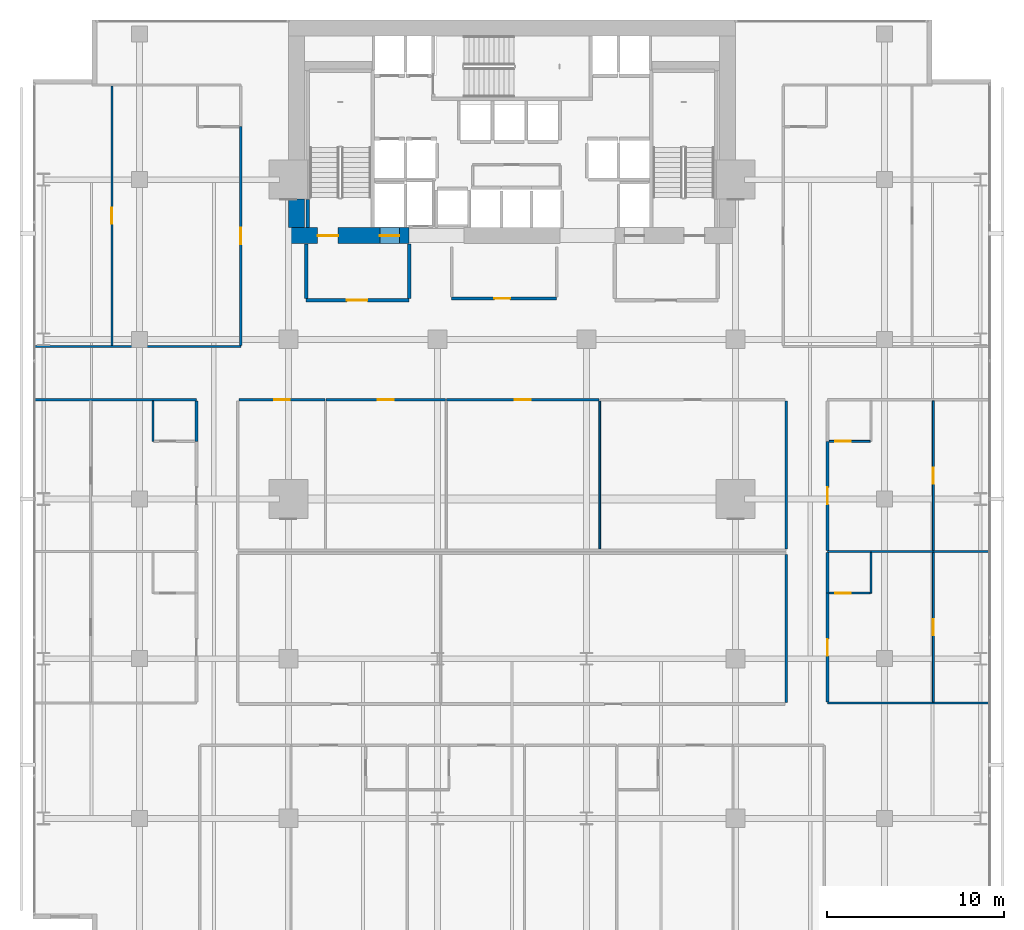
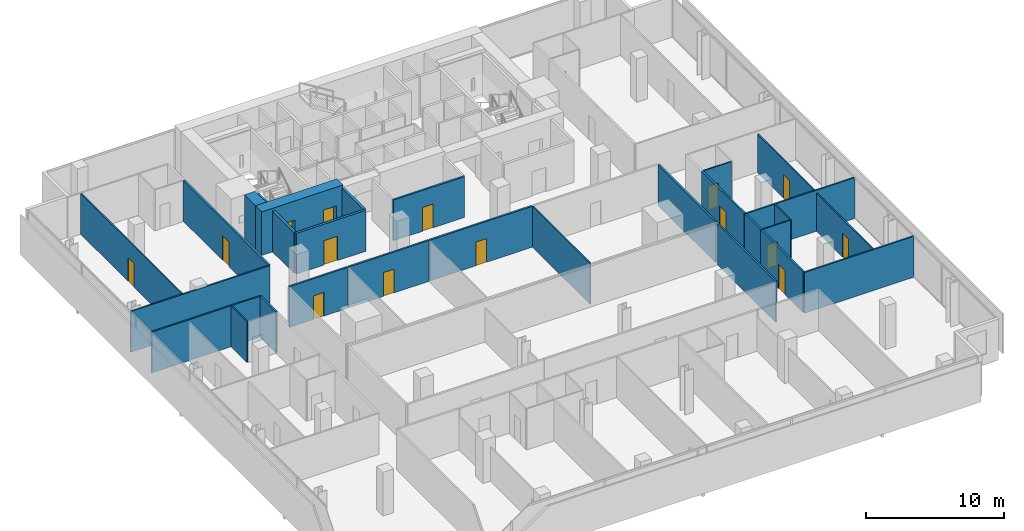
# One storey, part 34 of 39: 29 walls, 15 doors, 15 openings.
"""IFC4 building model written with IfcOpenShell, lengths in metres."""

from ifc_helpers import new_model, si_unit, direction, frame, frame_2d, origin, place, context, subcontext, project, spatial, rectangle, extrude, material, layer, layer_set, type_object, element, fill, save


model = new_model("IFC4")

# Units and contexts
model_context = context("Model", 3, precision=1e-05, world=origin(), true_north=direction((0.0, 1.0)))
body_context = subcontext(model_context, "Body", "Model", "MODEL_VIEW")
ifc_project = project(units=[si_unit("LENGTHUNIT", "METRE"), si_unit("AREAUNIT", "SQUARE_METRE"), si_unit("VOLUMEUNIT", "CUBIC_METRE"), si_unit("PLANEANGLEUNIT", "RADIAN"), si_unit("MASSUNIT", "GRAM", prefix="KILO")], contexts=[model_context])

# Site, building, storey
site_placement = place(None, origin())
site = spatial("IfcSite", under=ifc_project, at=site_placement, CompositionType="ELEMENT")
building_placement = place(site_placement, origin())
building = spatial("IfcBuilding", under=site, at=building_placement, Name="Maruvema Waterfront Hotel and Observation Tower", CompositionType="ELEMENT")
storey_placement = place(building_placement, frame((0.0, 0.0, 65.449951171875)))
storey = spatial("IfcBuildingStorey", under=building, at=storey_placement, Name="L15", CompositionType="ELEMENT", Elevation=65.449951171875)

# Wall, opening, door
ifc_material_1 = material(Name="Twin-stud acoustic gypsum drywall", Category="gypsum")
ifc_layer_1 = layer(ifc_material_1, 0.14990234375, Name="Acoustic Corridor and Suite Demising Wall 150 mm")
ifc_layer_set_1 = layer_set([ifc_layer_1], Name="Twin-stud acoustic gypsum drywall")
wall_type_1 = type_object("IfcWallType", Name="Acoustic Corridor and Suite Demising Wall 150 mm", PredefinedType="PARTITIONING", material=ifc_layer_set_1)
wall_1_placement = place(storey_placement, frame((34.39990234375, 38.300048828125, 0.0), z_axis=(0.0, 0.0, 1.0), x_axis=(1.0, 0.0, 0.0)))
wall_1 = element("IfcWall", 1, at=wall_1_placement, inside=storey, type_object=wall_type_1, Name="L15 Core Apron K0 South 013", PredefinedType="PARTITIONING", context=body_context, shape_type="SweptSolid", body=[
    extrude(rectangle(XDim=5.920166015625, YDim=0.14990234375, at=frame_2d((2.9599609375, 0.0))), origin(), (0.0, 0.0, 1.0), 3.610107421875),
])
opening_1_placement = place(wall_1_placement, frame((2.39990234375, 0.0, 0.0)))
opening_1 = element("IfcOpeningElement", 2, at=opening_1_placement, cuts=wall_1, Name="Opening DR-090", PredefinedType="OPENING", context=body_context, shape_type="SweptSolid", body=[
    extrude(rectangle(XDim=0.89990234375, YDim=2.10009765625, at=frame_2d((0.449951171875, 1.050048828125))), frame((0.0, 0.0849609375, 0.0), z_axis=(0.0, -1.0, 0.0), x_axis=(1.0, 0.0, 0.0)), (0.0, 0.0, 1.0), 0.169921875),
])
ifc_material_2 = material(Name="Solid-core lacquered timber leaf", Category="wood")
door_type_1 = type_object("IfcDoorType", Name="Accessible Toilet and Room Door 900x2100 mm", OperationType="NOTDEFINED", PredefinedType="DOOR", material=ifc_material_2)
door_1_placement = place(opening_1_placement, frame((0.89990234375, 0.0, 0.0), z_axis=(0.0, 0.0, 1.0), x_axis=(-1.0, 0.0, 0.0)))
door_1 = element("IfcDoor", 3, at=door_1_placement, inside=storey, type_object=door_type_1, Name="L15 Core Valet Room Door", OperationType="SINGLE_SWING_LEFT", OverallHeight=2.10009765625, OverallWidth=0.89990234375, PredefinedType="DOOR", context=body_context, shape_type="SweptSolid", body=[
    extrude(rectangle(XDim=0.89990234375, YDim=2.10009765625, at=frame_2d((0.449951171875, 1.050048828125))), frame((0.0, 0.02490234375, 0.0), z_axis=(0.0, -1.0, 0.0), x_axis=(1.0, 0.0, 0.0)), (0.0, 0.0, 1.0), 0.050048828125),
])
fill(opening_1, door_1)

# Wall
wall_2_placement = place(storey_placement, frame((53.25, 24.18994140625, 0.0), z_axis=(0.0, 0.0, 1.0), x_axis=(0.0, 1.0, 0.0)))
element("IfcWall", 4, at=wall_2_placement, inside=storey, type_object=wall_type_1, Name="L15 L15-INTN East Wall 018", PredefinedType="PARTITIONING", context=body_context, shape_type="SweptSolid", body=[
    extrude(rectangle(XDim=8.330078125, YDim=0.14990234375, at=frame_2d((4.1650390625, 0.0))), origin(), (0.0, 0.0, 1.0), 3.610107421875),
])

# Wall, opening, door
wall_3_placement = place(storey_placement, frame((22.409912109375, 32.60009765625, 0.0), z_axis=(0.0, 0.0, 1.0), x_axis=(1.0, 0.0, 0.0)))
wall_3 = element("IfcWall", 5, at=wall_3_placement, inside=storey, type_object=wall_type_1, Name="L15 L15-INTN Front 1 019", PredefinedType="PARTITIONING", context=body_context, shape_type="SweptSolid", body=[
    extrude(rectangle(XDim=4.85400390625, YDim=0.14990234375, at=frame_2d((2.427001953125, 0.0))), origin(), (0.0, 0.0, 1.0), 3.610107421875),
])
opening_2_placement = place(wall_3_placement, frame((1.97705078125, 0.0, 0.0)))
opening_2 = element("IfcOpeningElement", 6, at=opening_2_placement, cuts=wall_3, Name="Opening DR-090", PredefinedType="OPENING", context=body_context, shape_type="SweptSolid", body=[
    extrude(rectangle(XDim=0.89990234375, YDim=2.10009765625, at=frame_2d((0.449951171875, 1.050048828125))), frame((0.0, 0.0849609375, 0.0), z_axis=(0.0, -1.0, 0.0), x_axis=(1.0, 0.0, 0.0)), (0.0, 0.0, 1.0), 0.169921875),
])
door_2_placement = place(opening_2_placement, origin())
door_2 = element("IfcDoor", 7, at=door_2_placement, inside=storey, type_object=door_type_1, Name="L15 Diplomatic Dining Kitchen Door", OperationType="SINGLE_SWING_RIGHT", OverallHeight=2.10009765625, OverallWidth=0.89990234375, PredefinedType="DOOR", context=body_context, shape_type="SweptSolid", body=[
    extrude(rectangle(XDim=0.89990234375, YDim=2.10009765625, at=frame_2d((0.449951171875, 1.050048828125))), frame((0.0, 0.02490234375, 0.0), z_axis=(0.0, -1.0, 0.0), x_axis=(1.0, 0.0, 0.0)), (0.0, 0.0, 1.0), 0.050048828125),
])
fill(opening_2, door_2)

wall_4_placement = place(storey_placement, frame((27.323974609375, 32.60009765625, 0.0), z_axis=(0.0, 0.0, 1.0), x_axis=(1.0, 0.0, 0.0)))
wall_4 = element("IfcWall", 8, at=wall_4_placement, inside=storey, type_object=wall_type_1, Name="L15 L15-INTN Front 2 021", PredefinedType="PARTITIONING", context=body_context, shape_type="SweptSolid", body=[
    extrude(rectangle(XDim=6.738037109375, YDim=0.14990234375, at=frame_2d((3.369140625, 0.0))), origin(), (0.0, 0.0, 1.0), 3.610107421875),
])
opening_3_placement = place(wall_4_placement, frame((2.9189453125, 0.0, 0.0)))
opening_3 = element("IfcOpeningElement", 9, at=opening_3_placement, cuts=wall_4, Name="Opening DR-090", PredefinedType="OPENING", context=body_context, shape_type="SweptSolid", body=[
    extrude(rectangle(XDim=0.89990234375, YDim=2.10009765625, at=frame_2d((0.449951171875, 1.050048828125))), frame((0.0, 0.0849609375, 0.0), z_axis=(0.0, -1.0, 0.0), x_axis=(1.0, 0.0, 0.0)), (0.0, 0.0, 1.0), 0.169921875),
])
door_3_placement = place(opening_3_placement, origin())
door_3 = element("IfcDoor", 10, at=door_3_placement, inside=storey, type_object=door_type_1, Name="L15 Private Study Office 1 Door", OperationType="SINGLE_SWING_LEFT", OverallHeight=2.10009765625, OverallWidth=0.89990234375, PredefinedType="DOOR", context=body_context, shape_type="SweptSolid", body=[
    extrude(rectangle(XDim=0.89990234375, YDim=2.10009765625, at=frame_2d((0.449951171875, 1.050048828125))), frame((0.0, 0.02490234375, 0.0), z_axis=(0.0, -1.0, 0.0), x_axis=(1.0, 0.0, 0.0)), (0.0, 0.0, 1.0), 0.050048828125),
])
fill(opening_3, door_3)

wall_5_placement = place(storey_placement, frame((34.1220703125, 32.60009765625, 0.0), z_axis=(0.0, 0.0, 1.0), x_axis=(1.0, 0.0, 0.0)))
wall_5 = element("IfcWall", 11, at=wall_5_placement, inside=storey, type_object=wall_type_1, Name="L15 L15-INTN Front 3 023", PredefinedType="PARTITIONING", context=body_context, shape_type="SweptSolid", body=[
    extrude(rectangle(XDim=8.592041015625, YDim=0.14990234375, at=frame_2d((4.2958984375, 0.0))), origin(), (0.0, 0.0, 1.0), 3.610107421875),
])
opening_4_placement = place(wall_5_placement, frame((3.845947265625, 0.0, 0.0)))
opening_4 = element("IfcOpeningElement", 12, at=opening_4_placement, cuts=wall_5, Name="Opening DR-090", PredefinedType="OPENING", context=body_context, shape_type="SweptSolid", body=[
    extrude(rectangle(XDim=0.89990234375, YDim=2.10009765625, at=frame_2d((0.449951171875, 1.050048828125))), frame((0.0, 0.0849609375, 0.0), z_axis=(0.0, -1.0, 0.0), x_axis=(1.0, 0.0, 0.0)), (0.0, 0.0, 1.0), 0.169921875),
])
door_4_placement = place(opening_4_placement, origin())
door_4 = element("IfcDoor", 13, at=door_4_placement, inside=storey, type_object=door_type_1, Name="L15 Private Study Office 2 Door", OperationType="SINGLE_SWING_RIGHT", OverallHeight=2.10009765625, OverallWidth=0.89990234375, PredefinedType="DOOR", context=body_context, shape_type="SweptSolid", body=[
    extrude(rectangle(XDim=0.89990234375, YDim=2.10009765625, at=frame_2d((0.449951171875, 1.050048828125))), frame((0.0, 0.02490234375, 0.0), z_axis=(0.0, -1.0, 0.0), x_axis=(1.0, 0.0, 0.0)), (0.0, 0.0, 1.0), 0.050048828125),
])
fill(opening_4, door_4)

# Wall
wall_6_placement = place(storey_placement, frame((53.25, 15.530029296875, 0.0), z_axis=(0.0, 0.0, 1.0), x_axis=(0.0, 1.0, 0.0)))
element("IfcWall", 14, at=wall_6_placement, inside=storey, type_object=wall_type_1, Name="L15 L15-INTS East Wall 028", PredefinedType="PARTITIONING", context=body_context, shape_type="SweptSolid", body=[
    extrude(rectangle(XDim=8.340087890625, YDim=0.14990234375, at=frame_2d((4.169921875, 0.0))), origin(), (0.0, 0.0, 1.0), 3.610107421875),
])

# Wall, opening, door
wall_7_placement = place(storey_placement, frame((55.580078125, 15.56005859375, 0.0), z_axis=(0.0, 0.0, 1.0), x_axis=(0.0, 1.0, 0.0)))
wall_7 = element("IfcWall", 15, at=wall_7_placement, inside=storey, type_object=wall_type_1, Name="L15 Room L15-E1 Corridor Wall 063", PredefinedType="PARTITIONING", context=body_context, shape_type="SweptSolid", body=[
    extrude(rectangle(XDim=6.139892578125, YDim=0.14990234375, at=frame_2d((3.06982421875, 0.0))), origin(), (0.0, 0.0, 1.0), 3.610107421875),
])
opening_5_placement = place(wall_7_placement, frame((2.594970703125, 0.0, 0.0)))
opening_5 = element("IfcOpeningElement", 16, at=opening_5_placement, cuts=wall_7, Name="Opening DR-095", PredefinedType="OPENING", context=body_context, shape_type="SweptSolid", body=[
    extrude(rectangle(XDim=0.949951171875, YDim=2.14990234375, at=frame_2d((0.47509765625, 1.074951171875))), frame((0.0, 0.0849609375, 0.0), z_axis=(0.0, -1.0, 0.0), x_axis=(1.0, 0.0, 0.0)), (0.0, 0.0, 1.0), 0.169921875),
])
ifc_material_3 = material(Name="Acoustic solid-core hardwood timber leaf", Category="wood")
door_type_2 = type_object("IfcDoorType", Name="Guestroom Entrance Fire Door 950x2150 mm", OperationType="NOTDEFINED", PredefinedType="DOOR", material=ifc_material_3)
door_5_placement = place(opening_5_placement, frame((0.949951171875, 0.0, 0.0), z_axis=(0.0, 0.0, 1.0), x_axis=(-1.0, 0.0, 0.0)))
door_5 = element("IfcDoor", 17, at=door_5_placement, inside=storey, type_object=door_type_2, Name="L15 Room L15-E1 Entrance Door", OperationType="SINGLE_SWING_LEFT", OverallHeight=2.14990234375, OverallWidth=0.949951171875, PredefinedType="DOOR", context=body_context, shape_type="SweptSolid", body=[
    extrude(rectangle(XDim=0.949951171875, YDim=2.14990234375, at=frame_2d((0.47509765625, 1.074951171875))), frame((0.0, 0.02490234375, 0.0), z_axis=(0.0, -1.0, 0.0), x_axis=(1.0, 0.0, 0.0)), (0.0, 0.0, 1.0), 0.050048828125),
])
fill(opening_5, door_5)

# Walls
for number, where, z_axis, x_axis, name in (
    (18, (55.580078125, 21.699951171875, 0.0), (0.0, 0.0, 1.0), (0.0, 1.0, 0.0), "L15 Bath L15-E1 Wall 064"),
    (19, (20.02001953125, 30.25, 0.0), (0.0, 0.0, 1.0), (0.0, 1.0, 0.0), "L15 Bath L15-W2 Wall 071"),
):
    element("IfcWall", number, at=place(storey_placement, frame(where, z_axis=z_axis, x_axis=x_axis)), inside=storey, type_object=wall_type_1, Name=name, PredefinedType="PARTITIONING", context=body_context, shape_type="SweptSolid", body=[
        extrude(rectangle(XDim=2.2900390625, YDim=0.14990234375, at=frame_2d((1.14501953125, 0.0))), origin(), (0.0, 0.0, 1.0), 3.610107421875),
    ])

# Wall, opening, door
wall_8_placement = place(storey_placement, frame((55.580078125, 24.110107421875, 0.0), z_axis=(0.0, 0.0, 1.0), x_axis=(0.0, 1.0, 0.0)))
wall_8 = element("IfcWall", 20, at=wall_8_placement, inside=storey, type_object=wall_type_1, Name="L15 Room L15-E2 Corridor Wall 075", PredefinedType="PARTITIONING", context=body_context, shape_type="SweptSolid", body=[
    extrude(rectangle(XDim=6.139892578125, YDim=0.14990234375, at=frame_2d((3.06982421875, 0.0))), origin(), (0.0, 0.0, 1.0), 3.610107421875),
])
opening_6_placement = place(wall_8_placement, frame((2.594970703125, 0.0, 0.0)))
opening_6 = element("IfcOpeningElement", 21, at=opening_6_placement, cuts=wall_8, Name="Opening DR-095", PredefinedType="OPENING", context=body_context, shape_type="SweptSolid", body=[
    extrude(rectangle(XDim=0.949951171875, YDim=2.14990234375, at=frame_2d((0.47509765625, 1.074951171875))), frame((0.0, 0.0849609375, 0.0), z_axis=(0.0, -1.0, 0.0), x_axis=(1.0, 0.0, 0.0)), (0.0, 0.0, 1.0), 0.169921875),
])
door_6_placement = place(opening_6_placement, frame((0.949951171875, 0.0, 0.0), z_axis=(0.0, 0.0, 1.0), x_axis=(-1.0, 0.0, 0.0)))
door_6 = element("IfcDoor", 22, at=door_6_placement, inside=storey, type_object=door_type_2, Name="L15 Room L15-E2 Entrance Door", OperationType="SINGLE_SWING_LEFT", OverallHeight=2.14990234375, OverallWidth=0.949951171875, PredefinedType="DOOR", context=body_context, shape_type="SweptSolid", body=[
    extrude(rectangle(XDim=0.949951171875, YDim=2.14990234375, at=frame_2d((0.47509765625, 1.074951171875))), frame((0.0, 0.02490234375, 0.0), z_axis=(0.0, -1.0, 0.0), x_axis=(1.0, 0.0, 0.0)), (0.0, 0.0, 1.0), 0.050048828125),
])
fill(opening_6, door_6)

wall_9_placement = place(storey_placement, frame((22.52001953125, 35.659912109375, 0.0), z_axis=(0.0, 0.0, 1.0), x_axis=(0.0, 1.0, 0.0)))
wall_9 = element("IfcWall", 23, at=wall_9_placement, inside=storey, type_object=wall_type_1, Name="L15 Room L15-NW1 Corridor Wall 084", PredefinedType="PARTITIONING", context=body_context, shape_type="SweptSolid", body=[
    extrude(rectangle(XDim=12.32763671875, YDim=0.14990234375, at=frame_2d((6.163818359375, 0.0))), origin(), (0.0, 0.0, 1.0), 3.610107421875),
])
opening_7_placement = place(wall_9_placement, frame((5.688720703125, 0.0, 0.0)))
opening_7 = element("IfcOpeningElement", 24, at=opening_7_placement, cuts=wall_9, Name="Opening DR-095", PredefinedType="OPENING", context=body_context, shape_type="SweptSolid", body=[
    extrude(rectangle(XDim=0.949951171875, YDim=2.14990234375, at=frame_2d((0.47509765625, 1.074951171875))), frame((0.0, 0.0849609375, 0.0), z_axis=(0.0, -1.0, 0.0), x_axis=(1.0, 0.0, 0.0)), (0.0, 0.0, 1.0), 0.169921875),
])
door_7_placement = place(opening_7_placement, origin())
door_7 = element("IfcDoor", 25, at=door_7_placement, inside=storey, type_object=door_type_2, Name="L15 Room L15-NW1 Entrance Door", OperationType="SINGLE_SWING_RIGHT", OverallHeight=2.14990234375, OverallWidth=0.949951171875, PredefinedType="DOOR", context=body_context, shape_type="SweptSolid", body=[
    extrude(rectangle(XDim=0.949951171875, YDim=2.14990234375, at=frame_2d((0.47509765625, 1.074951171875))), frame((0.0, 0.02490234375, 0.0), z_axis=(0.0, -1.0, 0.0), x_axis=(1.0, 0.0, 0.0)), (0.0, 0.0, 1.0), 0.050048828125),
])
fill(opening_7, door_7)

# Wall
ifc_material_4 = material(Name="Precast concrete C45/55", Category="concrete")
ifc_layer_2 = layer(ifc_material_4, 0.199951171875, Name="Core Shaft and Stairwell Enclosure Wall 200 mm")
ifc_layer_set_2 = layer_set([ifc_layer_2], Name="Precast concrete C45/55")
wall_type_2 = type_object("IfcWallType", Name="Core Shaft and Stairwell Enclosure Wall 200 mm", PredefinedType="SOLIDWALL", material=ifc_layer_set_2)
wall_10_placement = place(storey_placement, frame((26.300048828125, 42.300048828125, 0.0), z_axis=(0.0, 0.0, 1.0), x_axis=(0.0, 1.0, 0.0)))
element("IfcWall", 26, at=wall_10_placement, inside=storey, type_object=wall_type_2, Name="L15 Stairwell ST-01 Shaft Lining Wall", PredefinedType="SOLIDWALL", context=body_context, shape_type="SweptSolid", body=[
    extrude(rectangle(XDim=1.579833984375, YDim=0.199951171875, at=frame_2d((0.7900390625, 0.0))), origin(), (0.0, 0.0, 1.0), 3.610107421875),
])

# Wall, openings, doors
ifc_material_5 = material(Name="Concrete C80/95", Category="concrete")
ifc_layer_3 = layer(ifc_material_5, 0.89990234375, Name="Core Shear Wall 900 mm")
ifc_layer_set_3 = layer_set([ifc_layer_3], Name="Concrete C80/95")
wall_type_3 = type_object("IfcWallType", Name="Core Shear Wall 900 mm", PredefinedType="SHEAR", material=ifc_layer_set_3)
wall_11_placement = place(storey_placement, frame((25.199951171875, 41.85009765625, 0.0), z_axis=(0.0, 0.0, 1.0), x_axis=(1.0, 0.0, 0.0)))
wall_11 = element("IfcWall", 27, at=wall_11_placement, inside=storey, type_object=wall_type_3, Name="L15 South-West Core Shear Wall", PredefinedType="SHEAR", context=body_context, shape_type="SweptSolid", body=[
    extrude(rectangle(XDim=6.800048828125, YDim=0.89990234375, at=frame_2d((3.39990234375, 0.0))), origin(), (0.0, 0.0, 1.0), 3.85009765625),
])
opening_8_placement = place(wall_11_placement, frame((1.64990234375, 0.0, 0.0)))
opening_8 = element("IfcOpeningElement", 28, at=opening_8_placement, cuts=wall_11, Name="Opening SD-01", PredefinedType="OPENING", context=body_context, shape_type="SweptSolid", body=[
    extrude(rectangle(XDim=1.14990234375, YDim=2.14990234375, at=frame_2d((0.574951171875, 1.074951171875))), frame((0.0, 0.4599609375, 0.0), z_axis=(0.0, -1.0, 0.0), x_axis=(1.0, 0.0, 0.0)), (0.0, 0.0, 1.0), 0.919921875),
])
opening_9_placement = place(wall_11_placement, frame((5.14990234375, 0.0, 0.0)))
opening_9 = element("IfcOpeningElement", 29, at=opening_9_placement, cuts=wall_11, Name="Opening LD-03", PredefinedType="OPENING", context=body_context, shape_type="SweptSolid", body=[
    extrude(rectangle(XDim=1.10009765625, YDim=2.199951171875, at=frame_2d((0.550048828125, 1.10009765625))), frame((0.0, 0.4599609375, 0.0), z_axis=(0.0, -1.0, 0.0), x_axis=(1.0, 0.0, 0.0)), (0.0, 0.0, 1.0), 0.919921875),
])
ifc_material_6 = material(Name="Fire-rated galvanised steel leaf", Category="steel")
door_type_3 = type_object("IfcDoorType", Name="Exit Stair Fire Door 1150x2150 mm", OperationType="NOTDEFINED", PredefinedType="DOOR", material=ifc_material_6)
door_8_placement = place(opening_8_placement, origin())
door_8 = element("IfcDoor", 30, at=door_8_placement, inside=storey, type_object=door_type_3, Name="L15 Exit Stair ST-01 Fire Door", OperationType="SINGLE_SWING_LEFT", OverallHeight=2.14990234375, OverallWidth=1.14990234375, PredefinedType="DOOR", context=body_context, shape_type="SweptSolid", body=[
    extrude(rectangle(XDim=1.14990234375, YDim=2.14990234375, at=frame_2d((0.574951171875, 1.074951171875))), frame((0.0, 0.02490234375, 0.0), z_axis=(0.0, -1.0, 0.0), x_axis=(1.0, 0.0, 0.0)), (0.0, 0.0, 1.0), 0.050048828125),
])
fill(opening_8, door_8)
ifc_material_7 = material(Name="Brushed stainless steel Grade 316", Category="steel")
door_type_4 = type_object("IfcDoorType", Name="Firefighting Lift Sliding Landing Door 1100x2200 mm", OperationType="SLIDING_TO_LEFT", PredefinedType="DOOR", material=ifc_material_7)
door_9_placement = place(opening_9_placement, frame((1.10009765625, 0.0, 0.0), z_axis=(0.0, 0.0, 1.0), x_axis=(-1.0, 0.0, 0.0)))
door_9 = element("IfcDoor", 31, at=door_9_placement, inside=storey, type_object=door_type_4, Name="L15 Firefighting Lift FL-01 Landing Door", OperationType="SLIDING_TO_LEFT", OverallHeight=2.199951171875, OverallWidth=1.10009765625, PredefinedType="DOOR", context=body_context, shape_type="SweptSolid", body=[
    extrude(rectangle(XDim=1.10009765625, YDim=2.199951171875, at=frame_2d((0.550048828125, 1.10009765625))), frame((0.0, 0.02490234375, 0.0), z_axis=(0.0, -1.0, 0.0), x_axis=(1.0, 0.0, 0.0)), (0.0, 0.0, 1.0), 0.050048828125),
])
fill(opening_9, door_9)

# Walls
wall_12_placement = place(storey_placement, frame((25.64990234375, 42.300048828125, 0.0), z_axis=(0.0, 0.0, 1.0), x_axis=(0.0, 1.0, 0.0)))
element("IfcWall", 32, at=wall_12_placement, inside=storey, type_object=wall_type_3, Name="L15 West-South Core Shear Wall", PredefinedType="SHEAR", context=body_context, shape_type="SweptSolid", body=[
    extrude(rectangle(XDim=1.599853515625, YDim=0.89990234375, at=frame_2d((0.7998046875, 0.0))), origin(), (0.0, 0.0, 1.0), 3.85009765625),
])
ifc_material_8 = material(Name="Moisture-resistant cement-board drywall", Category="gypsum")
ifc_layer_4 = layer(ifc_material_8, 0.10009765625, Name="En-Suite Moisture-Resistant Partition 100 mm")
ifc_layer_set_4 = layer_set([ifc_layer_4], Name="Moisture-resistant cement-board drywall")
wall_type_4 = type_object("IfcWallType", Name="En-Suite Moisture-Resistant Partition 100 mm", PredefinedType="PARTITIONING", material=ifc_layer_set_4)
wall_13_placement = place(storey_placement, frame((42.743896484375, 24.18994140625, 0.0), z_axis=(0.0, 0.0, 1.0), x_axis=(0.0, 1.0, 0.0)))
element("IfcWall", 33, at=wall_13_placement, inside=storey, type_object=wall_type_4, Name="L15 L15-INTN Split 3 024", PredefinedType="PARTITIONING", context=body_context, shape_type="SweptSolid", body=[
    extrude(rectangle(XDim=8.330078125, YDim=0.10009765625, at=frame_2d((4.1650390625, 0.0))), origin(), (0.0, 0.0, 1.0), 3.610107421875),
])
wall_14_placement = place(storey_placement, frame((58.030029296875, 21.699951171875, 0.0), z_axis=(0.0, 0.0, 1.0), x_axis=(0.0, 1.0, 0.0)))
element("IfcWall", 34, at=wall_14_placement, inside=storey, type_object=wall_type_4, Name="L15 En-Suite L15-E1 E 065", PredefinedType="PARTITIONING", context=body_context, shape_type="SweptSolid", body=[
    extrude(rectangle(XDim=2.2900390625, YDim=0.10009765625, at=frame_2d((1.14501953125, 0.0))), origin(), (0.0, 0.0, 1.0), 3.610107421875),
])

# Wall, opening, door
wall_15_placement = place(storey_placement, frame((55.679931640625, 21.699951171875, 0.0), z_axis=(0.0, 0.0, 1.0), x_axis=(1.0, 0.0, 0.0)))
wall_15 = element("IfcWall", 35, at=wall_15_placement, inside=storey, type_object=wall_type_4, Name="L15 En-Suite L15-E1 S 066", PredefinedType="PARTITIONING", context=body_context, shape_type="SweptSolid", body=[
    extrude(rectangle(XDim=2.300048828125, YDim=0.10009765625, at=frame_2d((1.14990234375, 0.0))), origin(), (0.0, 0.0, 1.0), 3.610107421875),
])
opening_10_placement = place(wall_15_placement, frame((0.35009765625, 0.0, 0.0)))
opening_10 = element("IfcOpeningElement", 36, at=opening_10_placement, cuts=wall_15, Name="Opening DR-085", PredefinedType="OPENING", context=body_context, shape_type="SweptSolid", body=[
    extrude(rectangle(XDim=0.85009765625, YDim=2.10009765625, at=frame_2d((0.425048828125, 1.050048828125))), frame((0.0, 0.06005859375, 0.0), z_axis=(0.0, -1.0, 0.0), x_axis=(1.0, 0.0, 0.0)), (0.0, 0.0, 1.0), 0.1201171875),
])
ifc_material_9 = material(Name="Moisture-resistant solid timber leaf", Category="wood")
door_type_5 = type_object("IfcDoorType", Name="En-Suite Bathroom Door 850x2100 mm", OperationType="NOTDEFINED", PredefinedType="DOOR", material=ifc_material_9)
door_10_placement = place(opening_10_placement, frame((0.85009765625, 0.0, 0.0), z_axis=(0.0, 0.0, 1.0), x_axis=(-1.0, 0.0, 0.0)))
door_10 = element("IfcDoor", 37, at=door_10_placement, inside=storey, type_object=door_type_5, Name="L15 En-Suite L15-E1 Door", OperationType="SINGLE_SWING_RIGHT", OverallHeight=2.10009765625, OverallWidth=0.85009765625, PredefinedType="DOOR", context=body_context, shape_type="SweptSolid", body=[
    extrude(rectangle(XDim=0.85009765625, YDim=2.10009765625, at=frame_2d((0.425048828125, 1.050048828125))), frame((0.0, 0.02490234375, 0.0), z_axis=(0.0, -1.0, 0.0), x_axis=(1.0, 0.0, 0.0)), (0.0, 0.0, 1.0), 0.050048828125),
])
fill(opening_10, door_10)

wall_16_placement = place(storey_placement, frame((61.55029296875, 15.56005859375, 0.0), z_axis=(0.0, 0.0, 1.0), x_axis=(0.0, 1.0, 0.0)))
wall_16 = element("IfcWall", 38, at=wall_16_placement, inside=storey, type_object=wall_type_4, Name="L15 Suite L15-E1 Split 067", PredefinedType="PARTITIONING", context=body_context, shape_type="SweptSolid", body=[
    extrude(rectangle(XDim=8.429931640625, YDim=0.10009765625, at=frame_2d((4.21484375, 0.0))), origin(), (0.0, 0.0, 1.0), 3.35205078125),
])
opening_11_placement = place(wall_16_placement, frame((3.764892578125, 0.0, 0.0)))
opening_11 = element("IfcOpeningElement", 39, at=opening_11_placement, cuts=wall_16, Name="Opening DR-090", PredefinedType="OPENING", context=body_context, shape_type="SweptSolid", body=[
    extrude(rectangle(XDim=0.89990234375, YDim=2.10009765625, at=frame_2d((0.449951171875, 1.050048828125))), frame((0.0, 0.06005859375, 0.0), z_axis=(0.0, -1.0, 0.0), x_axis=(1.0, 0.0, 0.0)), (0.0, 0.0, 1.0), 0.1201171875),
])
door_11_placement = place(opening_11_placement, frame((0.89990234375, 0.0, 0.0), z_axis=(0.0, 0.0, 1.0), x_axis=(-1.0, 0.0, 0.0)))
door_11 = element("IfcDoor", 40, at=door_11_placement, inside=storey, type_object=door_type_1, Name="L15 Suite L15-E1 Bedroom Door", OperationType="SINGLE_SWING_RIGHT", OverallHeight=2.10009765625, OverallWidth=0.89990234375, PredefinedType="DOOR", context=body_context, shape_type="SweptSolid", body=[
    extrude(rectangle(XDim=0.89990234375, YDim=2.10009765625, at=frame_2d((0.449951171875, 1.050048828125))), frame((0.0, 0.02490234375, 0.0), z_axis=(0.0, -1.0, 0.0), x_axis=(1.0, 0.0, 0.0)), (0.0, 0.0, 1.0), 0.050048828125),
])
fill(opening_11, door_11)

# Wall
wall_17_placement = place(storey_placement, frame((17.570068359375, 30.25, 0.0), z_axis=(0.0, 0.0, 1.0), x_axis=(0.0, 1.0, 0.0)))
element("IfcWall", 41, at=wall_17_placement, inside=storey, type_object=wall_type_4, Name="L15 En-Suite L15-W2 W 072", PredefinedType="PARTITIONING", context=body_context, shape_type="SweptSolid", body=[
    extrude(rectangle(XDim=2.2900390625, YDim=0.10009765625, at=frame_2d((1.14501953125, 0.0))), origin(), (0.0, 0.0, 1.0), 3.610107421875),
])

# Wall, opening, door
wall_18_placement = place(storey_placement, frame((55.679931640625, 30.25, 0.0), z_axis=(0.0, 0.0, 1.0), x_axis=(1.0, 0.0, 0.0)))
wall_18 = element("IfcWall", 42, at=wall_18_placement, inside=storey, type_object=wall_type_4, Name="L15 En-Suite L15-E2 S 078", PredefinedType="PARTITIONING", context=body_context, shape_type="SweptSolid", body=[
    extrude(rectangle(XDim=2.300048828125, YDim=0.10009765625, at=frame_2d((1.14990234375, 0.0))), origin(), (0.0, 0.0, 1.0), 3.610107421875),
])
opening_12_placement = place(wall_18_placement, frame((0.35009765625, 0.0, 0.0)))
opening_12 = element("IfcOpeningElement", 43, at=opening_12_placement, cuts=wall_18, Name="Opening DR-085", PredefinedType="OPENING", context=body_context, shape_type="SweptSolid", body=[
    extrude(rectangle(XDim=0.85009765625, YDim=2.10009765625, at=frame_2d((0.425048828125, 1.050048828125))), frame((0.0, 0.06005859375, 0.0), z_axis=(0.0, -1.0, 0.0), x_axis=(1.0, 0.0, 0.0)), (0.0, 0.0, 1.0), 0.1201171875),
])
door_12_placement = place(opening_12_placement, frame((0.85009765625, 0.0, 0.0), z_axis=(0.0, 0.0, 1.0), x_axis=(-1.0, 0.0, 0.0)))
door_12 = element("IfcDoor", 44, at=door_12_placement, inside=storey, type_object=door_type_5, Name="L15 En-Suite L15-E2 Door", OperationType="SINGLE_SWING_RIGHT", OverallHeight=2.10009765625, OverallWidth=0.85009765625, PredefinedType="DOOR", context=body_context, shape_type="SweptSolid", body=[
    extrude(rectangle(XDim=0.85009765625, YDim=2.10009765625, at=frame_2d((0.425048828125, 1.050048828125))), frame((0.0, 0.02490234375, 0.0), z_axis=(0.0, -1.0, 0.0), x_axis=(1.0, 0.0, 0.0)), (0.0, 0.0, 1.0), 0.050048828125),
])
fill(opening_12, door_12)

wall_19_placement = place(storey_placement, frame((61.55029296875, 24.110107421875, 0.0), z_axis=(0.0, 0.0, 1.0), x_axis=(0.0, 1.0, 0.0)))
wall_19 = element("IfcWall", 45, at=wall_19_placement, inside=storey, type_object=wall_type_4, Name="L15 Suite L15-E2 Split 079", PredefinedType="PARTITIONING", context=body_context, shape_type="SweptSolid", body=[
    extrude(rectangle(XDim=8.429931640625, YDim=0.10009765625, at=frame_2d((4.21484375, 0.0))), origin(), (0.0, 0.0, 1.0), 3.403076171875),
])
opening_13_placement = place(wall_19_placement, frame((3.764892578125, 0.0, 0.0)))
opening_13 = element("IfcOpeningElement", 46, at=opening_13_placement, cuts=wall_19, Name="Opening DR-090", PredefinedType="OPENING", context=body_context, shape_type="SweptSolid", body=[
    extrude(rectangle(XDim=0.89990234375, YDim=2.10009765625, at=frame_2d((0.449951171875, 1.050048828125))), frame((0.0, 0.06005859375, 0.0), z_axis=(0.0, -1.0, 0.0), x_axis=(1.0, 0.0, 0.0)), (0.0, 0.0, 1.0), 0.1201171875),
])
door_13_placement = place(opening_13_placement, frame((0.89990234375, 0.0, 0.0), z_axis=(0.0, 0.0, 1.0), x_axis=(-1.0, 0.0, 0.0)))
door_13 = element("IfcDoor", 47, at=door_13_placement, inside=storey, type_object=door_type_1, Name="L15 Suite L15-E2 Bedroom Door", OperationType="SINGLE_SWING_RIGHT", OverallHeight=2.10009765625, OverallWidth=0.89990234375, PredefinedType="DOOR", context=body_context, shape_type="SweptSolid", body=[
    extrude(rectangle(XDim=0.89990234375, YDim=2.10009765625, at=frame_2d((0.449951171875, 1.050048828125))), frame((0.0, 0.02490234375, 0.0), z_axis=(0.0, -1.0, 0.0), x_axis=(1.0, 0.0, 0.0)), (0.0, 0.0, 1.0), 0.050048828125),
])
fill(opening_13, door_13)

wall_20_placement = place(storey_placement, frame((15.24951171875, 35.659912109375, 0.0), z_axis=(0.0, 0.0, 1.0), x_axis=(0.0, 1.0, 0.0)))
wall_20 = element("IfcWall", 48, at=wall_20_placement, inside=storey, type_object=wall_type_4, Name="L15 Suite L15-NW1 Split 088", PredefinedType="PARTITIONING", context=body_context, shape_type="SweptSolid", body=[
    extrude(rectangle(XDim=14.61767578125, YDim=0.10009765625, at=frame_2d((7.308837890625, 0.0))), origin(), (0.0, 0.0, 1.0), 3.610107421875),
])
opening_14_placement = place(wall_20_placement, frame((6.85888671875, 0.0, 0.0)))
opening_14 = element("IfcOpeningElement", 49, at=opening_14_placement, cuts=wall_20, Name="Opening DR-090", PredefinedType="OPENING", context=body_context, shape_type="SweptSolid", body=[
    extrude(rectangle(XDim=0.89990234375, YDim=2.10009765625, at=frame_2d((0.449951171875, 1.050048828125))), frame((0.0, 0.06005859375, 0.0), z_axis=(0.0, -1.0, 0.0), x_axis=(1.0, 0.0, 0.0)), (0.0, 0.0, 1.0), 0.1201171875),
])
door_14_placement = place(opening_14_placement, origin())
door_14 = element("IfcDoor", 50, at=door_14_placement, inside=storey, type_object=door_type_1, Name="L15 Suite L15-NW1 Bedroom Door", OperationType="SINGLE_SWING_LEFT", OverallHeight=2.10009765625, OverallWidth=0.89990234375, PredefinedType="DOOR", context=body_context, shape_type="SweptSolid", body=[
    extrude(rectangle(XDim=0.89990234375, YDim=2.10009765625, at=frame_2d((0.449951171875, 1.050048828125))), frame((0.0, 0.02490234375, 0.0), z_axis=(0.0, -1.0, 0.0), x_axis=(1.0, 0.0, 0.0)), (0.0, 0.0, 1.0), 0.050048828125),
])
fill(opening_14, door_14)

ifc_material_10 = material(Name="Autoclaved cellular concrete blockwork", Category="masonry")
ifc_layer_5 = layer(ifc_material_10, 0.199951171875, Name="Fire Compartment Masonry Wall 200 mm")
ifc_layer_set_5 = layer_set([ifc_layer_5], Name="Autoclaved cellular concrete blockwork")
wall_type_5 = type_object("IfcWallType", Name="Fire Compartment Masonry Wall 200 mm", PredefinedType="PARTITIONING", material=ifc_layer_set_5)
wall_21_placement = place(storey_placement, frame((26.199951171875, 38.199951171875, 0.0), z_axis=(0.0, 0.0, 1.0), x_axis=(1.0, 0.0, 0.0)))
wall_21 = element("IfcWall", 51, at=wall_21_placement, inside=storey, type_object=wall_type_5, Name="L15 FFL West South Wall 001", PredefinedType="PARTITIONING", context=body_context, shape_type="SweptSolid", body=[
    extrude(rectangle(XDim=5.800048828125, YDim=0.199951171875, at=frame_2d((2.89990234375, 0.0))), origin(), (0.0, 0.0, 1.0), 3.610107421875),
])
opening_15_placement = place(wall_21_placement, frame((2.300048828125, 0.0, 0.0)))
opening_15 = element("IfcOpeningElement", 52, at=opening_15_placement, cuts=wall_21, Name="Opening FD-115", PredefinedType="OPENING", context=body_context, shape_type="SweptSolid", body=[
    extrude(rectangle(XDim=1.14990234375, YDim=2.14990234375, at=frame_2d((0.574951171875, 1.074951171875))), frame((0.0, 0.10986328125, 0.0), z_axis=(0.0, -1.0, 0.0), x_axis=(1.0, 0.0, 0.0)), (0.0, 0.0, 1.0), 0.219970703125),
])
ifc_material_11 = material(Name="Fire-rated galvanised steel and vision glass", Category="steel")
door_type_6 = type_object("IfcDoorType", Name="Firefighting Lobby Fire Door 1150x2150 mm", OperationType="NOTDEFINED", PredefinedType="DOOR", material=ifc_material_11)
door_15_placement = place(opening_15_placement, frame((1.14990234375, 0.0, 0.0), z_axis=(0.0, 0.0, 1.0), x_axis=(-1.0, 0.0, 0.0)))
door_15 = element("IfcDoor", 53, at=door_15_placement, inside=storey, type_object=door_type_6, Name="L15 Firefighting Lobby West Door", OperationType="SINGLE_SWING_LEFT", OverallHeight=2.14990234375, OverallWidth=1.14990234375, PredefinedType="DOOR", context=body_context, shape_type="SweptSolid", body=[
    extrude(rectangle(XDim=1.14990234375, YDim=2.14990234375, at=frame_2d((0.574951171875, 1.074951171875))), frame((0.0, 0.02490234375, 0.0), z_axis=(0.0, -1.0, 0.0), x_axis=(1.0, 0.0, 0.0)), (0.0, 0.0, 1.0), 0.050048828125),
])
fill(opening_15, door_15)

# Walls
for number, where, z_axis, x_axis, name in (
    (54, (26.199951171875, 38.31005859375, 0.0), (0.0, 0.0, 1.0), (0.0, 1.0, 0.0), "L15 FFL West West Wall 002"),
    (55, (32.0, 38.31005859375, 0.0), (0.0, 0.0, 1.0), (0.0, 1.0, 0.0), "L15 FFL West East Wall 003"),
):
    element("IfcWall", number, at=place(storey_placement, frame(where, z_axis=z_axis, x_axis=x_axis)), inside=storey, type_object=wall_type_5, Name=name, PredefinedType="PARTITIONING", context=body_context, shape_type="SweptSolid", body=[
        extrude(rectangle(XDim=3.06982421875, YDim=0.199951171875, at=frame_2d((1.534912109375, 0.0))), origin(), (0.0, 0.0, 1.0), 3.610107421875),
    ])
ifc_material_12 = material(Name="Acoustic gypsum plasterboard drywall", Category="gypsum")
ifc_layer_6 = layer(ifc_material_12, 0.125, Name="Guestroom Acoustic Demising Wall 125 mm")
ifc_layer_set_6 = layer_set([ifc_layer_6], Name="Acoustic gypsum plasterboard drywall")
wall_type_6 = type_object("IfcWallType", Name="Guestroom Acoustic Demising Wall 125 mm", PredefinedType="PARTITIONING", material=ifc_layer_set_6)
wall_22_placement = place(storey_placement, frame((55.580078125, 15.5, 0.0), z_axis=(0.0, 0.0, 1.0), x_axis=(1.0, 0.0, 0.0)))
element("IfcWall", 56, at=wall_22_placement, inside=storey, type_object=wall_type_6, Name="L15 E Bot End 055", PredefinedType="PARTITIONING", context=body_context, shape_type="SweptSolid", body=[
    extrude(rectangle(XDim=9.119873046875, YDim=0.125, at=frame_2d((4.56005859375, 0.0))), origin(), (0.0, 0.0, 1.0), 3.610107421875),
])
wall_23_placement = place(storey_placement, frame((10.89990234375, 32.60009765625, 0.0), z_axis=(0.0, 0.0, 1.0), x_axis=(1.0, 0.0, 0.0)))
element("IfcWall", 57, at=wall_23_placement, inside=storey, type_object=wall_type_6, Name="L15 W Top End 056", PredefinedType="PARTITIONING", context=body_context, shape_type="SweptSolid", body=[
    extrude(rectangle(XDim=9.1201171875, YDim=0.125, at=frame_2d((4.56005859375, 0.0))), origin(), (0.0, 0.0, 1.0), 3.610107421875),
])
wall_24_placement = place(storey_placement, frame((55.580078125, 24.050048828125, 0.0), z_axis=(0.0, 0.0, 1.0), x_axis=(1.0, 0.0, 0.0)))
element("IfcWall", 58, at=wall_24_placement, inside=storey, type_object=wall_type_6, Name="L15 E Demising 2 069", PredefinedType="PARTITIONING", context=body_context, shape_type="SweptSolid", body=[
    extrude(rectangle(XDim=9.119873046875, YDim=0.125, at=frame_2d((4.56005859375, 0.0))), origin(), (0.0, 0.0, 1.0), 3.610107421875),
])
wall_25_placement = place(storey_placement, frame((10.89990234375, 35.60009765625, 0.0), z_axis=(0.0, 0.0, 1.0), x_axis=(1.0, 0.0, 0.0)))
element("IfcWall", 59, at=wall_25_placement, inside=storey, type_object=wall_type_6, Name="L15 NW Bot End 080", PredefinedType="PARTITIONING", context=body_context, shape_type="SweptSolid", body=[
    extrude(rectangle(XDim=11.6201171875, YDim=0.125, at=frame_2d((5.81005859375, 0.0))), origin(), (0.0, 0.0, 1.0), 3.610107421875),
])

save(model, "model.ifc")
